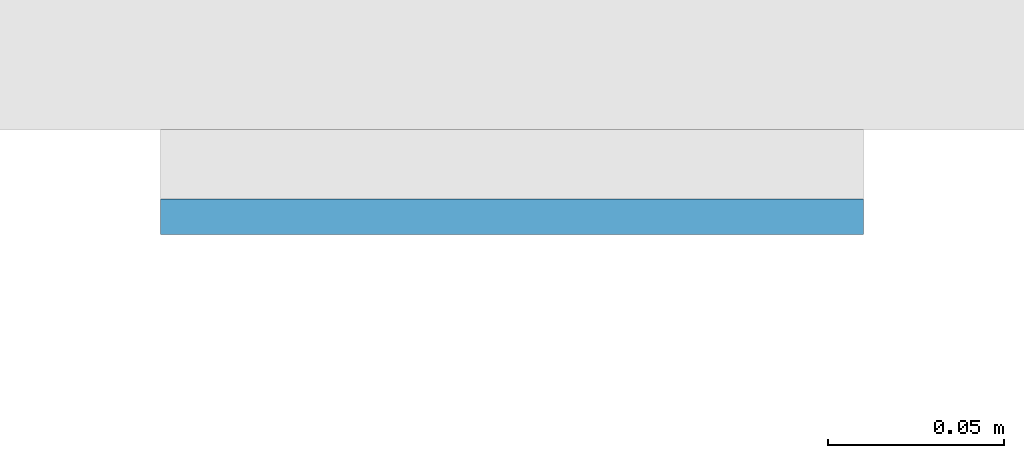
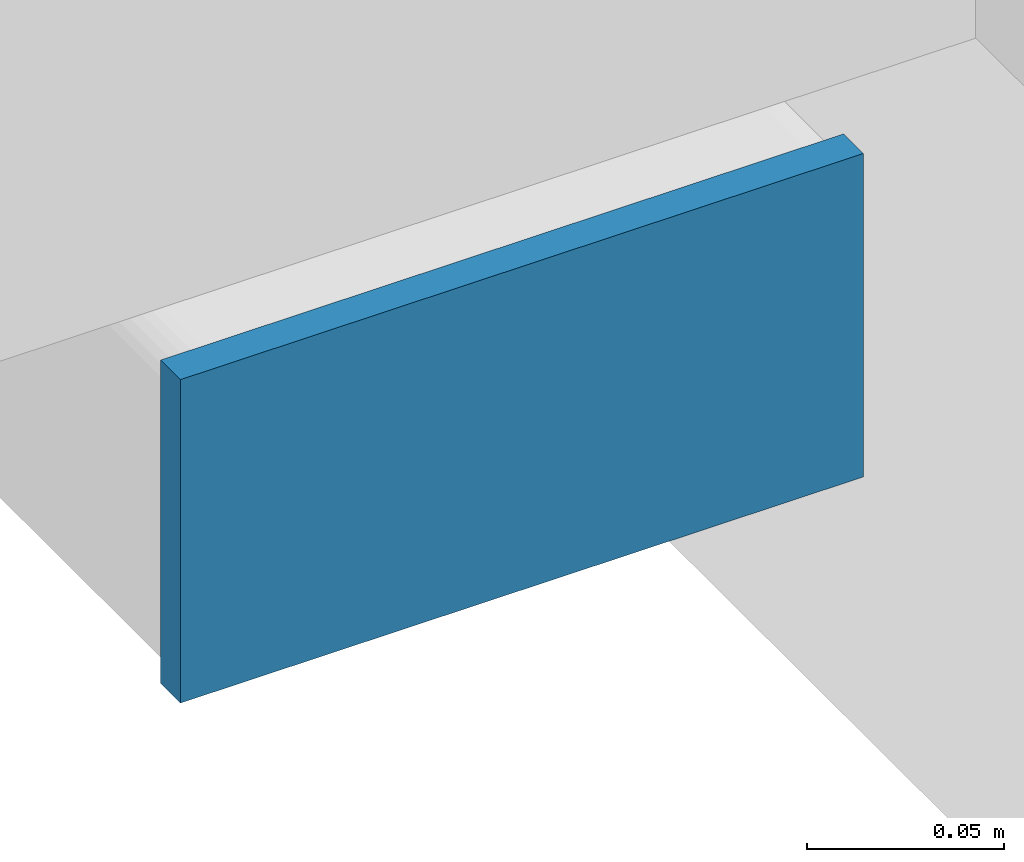
# One storey, part 8 of 20: 1 plate.
"""IFC4 building model written with IfcOpenShell, lengths in metres."""

from ifc_helpers import new_model, si_unit, direction, frame, origin, origin_2d, place, context, subcontext, project, spatial, rectangle, extrude, material, layer, layer_set, type_object, element, save


model = new_model("IFC4")

# Units and contexts
model_context = context("Model", 3, precision=1e-05, world=origin(), true_north=direction((0.0, 1.0)))
body_context = subcontext(model_context, "Body", "Model", "MODEL_VIEW")
ifc_project = project(units=[si_unit("LENGTHUNIT", "METRE"), si_unit("AREAUNIT", "SQUARE_METRE"), si_unit("VOLUMEUNIT", "CUBIC_METRE"), si_unit("PLANEANGLEUNIT", "RADIAN"), si_unit("MASSUNIT", "GRAM", prefix="KILO")], contexts=[model_context])

# Site, building, storey
site_placement = place(None, origin())
site = spatial("IfcSite", under=ifc_project, at=site_placement, CompositionType="ELEMENT")
building_placement = place(site_placement, origin())
building = spatial("IfcBuilding", under=site, at=building_placement, Name="Cleftline Residences", CompositionType="ELEMENT")
storey_placement = place(building_placement, frame((0.0, 0.0, 135.800048828125)))
storey = spatial("IfcBuildingStorey", under=building, at=storey_placement, Name="L35", CompositionType="ELEMENT", Elevation=135.800048828125)

# Plate
ifc_material = material(Name="Steel S355, hot-dip galvanised", Category="steel")
ifc_layer = layer(ifc_material, 0.010009765625)
ifc_layer_set = layer_set([ifc_layer], Name="BAGUETTE CARRIER END PLATE 200X100X10")
plate_type = type_object("IfcPlateType", Name="BAGUETTE CARRIER END PLATE 200X100X10", PredefinedType="USERDEFINED", material=ifc_layer_set)
plate_placement = place(storey_placement, frame((-0.85009765625, 3.695068359375, -0.10009765625), z_axis=(0.0, 0.0, 1.0), x_axis=(-1.0, 0.0, 0.0)))
element("IfcPlate", 1, at=plate_placement, inside=storey, type_object=plate_type, Name="Baguette carrier end plate", ObjectType="BAGUETTE CARRIER END PLATE", PredefinedType="USERDEFINED", context=body_context, shape_type="SweptSolid", body=[
    extrude(rectangle(XDim=0.199951171875, YDim=0.010009765625, at=origin_2d()), origin(), (0.0, 0.0, 1.0), 0.10009765625),
])

save(model, "model.ifc")
